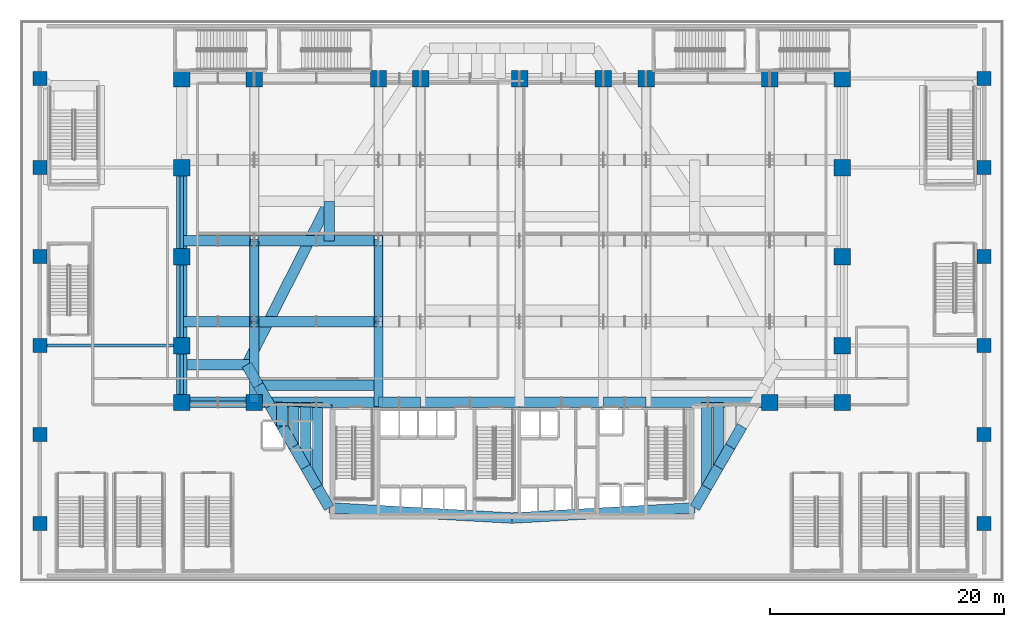
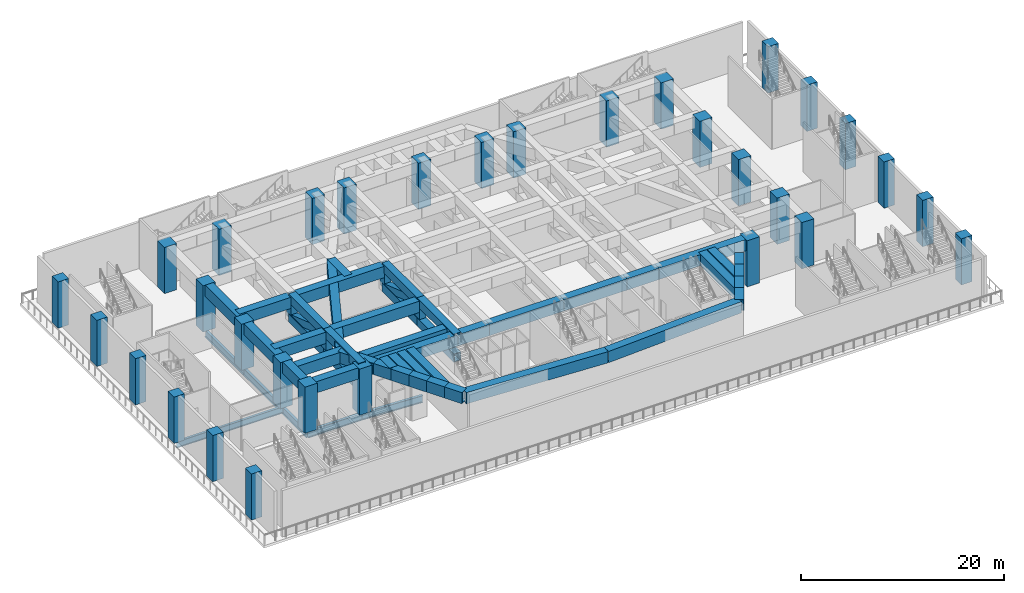
# One storey, part 1 of 27: 43 beams, 31 columns, 14 members.
"""IFC4 building model written with IfcOpenShell, lengths in metres."""

from ifc_helpers import new_model, si_unit, direction, frame, origin, origin_2d, place, context, subcontext, project, spatial, rectangle, hollow_rectangle, i_section, extrude, material, material_profile, profile_set, type_object, element, save


model = new_model("IFC4")

# Units and contexts
model_context = context("Model", 3, precision=1e-05, world=origin(), true_north=direction((0.0, 1.0)))
body_context = subcontext(model_context, "Body", "Model", "MODEL_VIEW")
ifc_project = project(units=[si_unit("LENGTHUNIT", "METRE"), si_unit("AREAUNIT", "SQUARE_METRE"), si_unit("VOLUMEUNIT", "CUBIC_METRE"), si_unit("PLANEANGLEUNIT", "RADIAN"), si_unit("MASSUNIT", "GRAM", prefix="KILO")], contexts=[model_context])

# Site, building, storey
site_placement = place(None, origin())
site = spatial("IfcSite", under=ifc_project, at=site_placement, CompositionType="ELEMENT")
building_placement = place(site_placement, origin())
building = spatial("IfcBuilding", under=site, at=building_placement, Name="Ndaravel Arena Tower", CompositionType="ELEMENT")
storey_placement = place(building_placement, frame((0.0, 0.0, 24.0)))
storey = spatial("IfcBuildingStorey", under=building, at=storey_placement, Name="L04", CompositionType="ELEMENT", Elevation=24.0)

# Columns
ifc_material_1 = material(Name="Concrete C60/75", Category="concrete")
ifc_material_profile_1 = material_profile(ifc_material_1, rectangle(XDim=1.199951171875, YDim=1.199951171875, at=origin_2d()), Name="RC 1200x1200")
ifc_profile_set_1 = profile_set([ifc_material_profile_1], Name="Concrete C60/75")
column_type_1 = type_object("IfcColumnType", Name="COL-MEGA-RC1200", PredefinedType="COLUMN", material=ifc_profile_set_1)
for number, where, z_axis, x_axis, name in (
    (1, (1.699951171875, 5.0, 0.0), (0.0, 0.0, 1.0), (1.0, 0.0, 0.0), "L04 Perimeter Mega Column 01"),
    (2, (1.699951171875, 12.60009765625, 0.0), (0.0, 0.0, 1.0), (1.0, 0.0, 0.0), "L04 Perimeter Mega Column 02"),
    (3, (1.699951171875, 20.199951171875, 0.0), (0.0, 0.0, 1.0), (1.0, 0.0, 0.0), "L04 Perimeter Mega Column 03"),
    (4, (1.699951171875, 27.800048828125, 0.0), (0.0, 0.0, 1.0), (1.0, 0.0, 0.0), "L04 Perimeter Mega Column 04"),
    (5, (1.699951171875, 35.39990234375, 0.0), (0.0, 0.0, 1.0), (1.0, 0.0, 0.0), "L04 Perimeter Mega Column 05"),
    (6, (1.699951171875, 43.0, 0.0), (0.0, 0.0, 1.0), (1.0, 0.0, 0.0), "L04 Perimeter Mega Column 06"),
    (7, (82.300048828125, 5.0, 0.0), (0.0, 0.0, 1.0), (1.0, 0.0, 0.0), "L04 Perimeter Mega Column 07"),
    (8, (82.300048828125, 12.60009765625, 0.0), (0.0, 0.0, 1.0), (1.0, 0.0, 0.0), "L04 Perimeter Mega Column 08"),
    (9, (82.300048828125, 20.199951171875, 0.0), (0.0, 0.0, 1.0), (1.0, 0.0, 0.0), "L04 Perimeter Mega Column 09"),
    (10, (82.300048828125, 27.800048828125, 0.0), (0.0, 0.0, 1.0), (1.0, 0.0, 0.0), "L04 Perimeter Mega Column 10"),
    (11, (82.300048828125, 35.39990234375, 0.0), (0.0, 0.0, 1.0), (1.0, 0.0, 0.0), "L04 Perimeter Mega Column 11"),
    (12, (82.300048828125, 43.0, 0.0), (0.0, 0.0, 1.0), (1.0, 0.0, 0.0), "L04 Perimeter Mega Column 12"),
):
    element("IfcColumn", number, at=place(storey_placement, frame(where, z_axis=z_axis, x_axis=x_axis)), inside=storey, type_object=column_type_1, Name=name, PredefinedType="COLUMN", context=body_context, shape_type="SweptSolid", body=[
        extrude(rectangle(XDim=1.199951171875, YDim=1.199951171875, at=origin_2d()), origin(), (0.0, 0.0, 1.0), 5.550048828125),
    ])
ifc_material_2 = material(Name="Concrete C60/75", Category="concrete")
ifc_material_profile_2 = material_profile(ifc_material_2, rectangle(XDim=1.39990234375, YDim=1.39990234375, at=origin_2d()), Name="RC 1400x1400")
ifc_profile_set_2 = profile_set([ifc_material_profile_2], Name="Concrete C60/75")
column_type_2 = type_object("IfcColumnType", Name="COL-MEGA-RC1400", PredefinedType="COLUMN", material=ifc_profile_set_2)
for number, where, z_axis, x_axis, name in (
    (13, (13.800048828125, 15.35009765625, 0.0), (0.0, 0.0, 1.0), (1.0, 0.0, 0.0), "L04 Arena Ring Mega Column 01"),
    (14, (13.800048828125, 20.199951171875, 0.0), (0.0, 0.0, 1.0), (1.0, 0.0, 0.0), "L04 Arena Ring Mega Column 02"),
    (15, (13.800048828125, 27.800048828125, 0.0), (0.0, 0.0, 1.0), (1.0, 0.0, 0.0), "L04 Arena Ring Mega Column 03"),
    (16, (13.800048828125, 35.39990234375, 0.0), (0.0, 0.0, 1.0), (1.0, 0.0, 0.0), "L04 Arena Ring Mega Column 04"),
    (17, (13.800048828125, 43.0, 0.0), (0.0, 0.0, 1.0), (1.0, 0.0, 0.0), "L04 Arena Ring Mega Column 05"),
    (18, (70.199951171875, 15.35009765625, 0.0), (0.0, 0.0, 1.0), (1.0, 0.0, 0.0), "L04 Arena Ring Mega Column 06"),
    (19, (70.199951171875, 20.199951171875, 0.0), (0.0, 0.0, 1.0), (1.0, 0.0, 0.0), "L04 Arena Ring Mega Column 07"),
    (20, (70.199951171875, 27.800048828125, 0.0), (0.0, 0.0, 1.0), (1.0, 0.0, 0.0), "L04 Arena Ring Mega Column 08"),
    (21, (70.199951171875, 35.39990234375, 0.0), (0.0, 0.0, 1.0), (1.0, 0.0, 0.0), "L04 Arena Ring Mega Column 09"),
    (22, (70.199951171875, 43.0, 0.0), (0.0, 0.0, 1.0), (1.0, 0.0, 0.0), "L04 Arena Ring Mega Column 10"),
    (23, (20.0, 15.35009765625, 0.0), (0.0, 0.0, 1.0), (1.0, 0.0, 0.0), "L04 Arena Ring Mega Column 11"),
    (24, (64.0, 15.35009765625, 0.0), (0.0, 0.0, 1.0), (1.0, 0.0, 0.0), "L04 Arena Ring Mega Column 12"),
    (25, (20.0, 43.0, 0.0), (0.0, 0.0, 1.0), (1.0, 0.0, 0.0), "L04 Arena Ring Mega Column 13"),
    (26, (30.60009765625, 43.0, 0.0), (0.0, 0.0, 1.0), (1.0, 0.0, 0.0), "L04 Arena Ring Mega Column 14"),
    (27, (34.199951171875, 43.0, 0.0), (0.0, 0.0, 1.0), (1.0, 0.0, 0.0), "L04 Arena Ring Mega Column 15"),
    (28, (42.64990234375, 43.0, 0.0), (0.0, 0.0, 1.0), (1.0, 0.0, 0.0), "L04 Arena Ring Mega Column 16"),
    (29, (49.800048828125, 43.0, 0.0), (0.0, 0.0, 1.0), (1.0, 0.0, 0.0), "L04 Arena Ring Mega Column 17"),
    (30, (53.449951171875, 43.0, 0.0), (0.0, 0.0, 1.0), (1.0, 0.0, 0.0), "L04 Arena Ring Mega Column 18"),
    (31, (64.0, 43.0, 0.0), (0.0, 0.0, 1.0), (1.0, 0.0, 0.0), "L04 Arena Ring Mega Column 19"),
):
    element("IfcColumn", number, at=place(storey_placement, frame(where, z_axis=z_axis, x_axis=x_axis)), inside=storey, type_object=column_type_2, Name=name, PredefinedType="COLUMN", context=body_context, shape_type="SweptSolid", body=[
        extrude(rectangle(XDim=1.39990234375, YDim=1.39990234375, at=origin_2d()), origin(), (0.0, 0.0, 1.0), 5.550048828125),
    ])

# Beams
ifc_material_3 = material(Name="Steel S355", Category="steel")
ifc_material_profile_3 = material_profile(ifc_material_3, i_section(OverallWidth=0.26806640625, OverallDepth=0.769775390625, WebThickness=0.015625, FlangeThickness=0.025390625, FilletRadius=0.0166015625, at=origin_2d()), Name="UB 762x267x197")
ifc_profile_set_3 = profile_set([ifc_material_profile_3], Name="Steel S355")
beam_type_1 = type_object("IfcBeamType", Name="BM-POD-UB762", PredefinedType="BEAM", material=ifc_profile_set_3)
beam_1_placement = place(storey_placement, frame((1.699951171875, 20.199951171875, -0.684814453125), z_axis=(1.0, 0.0, 0.0), x_axis=(0.0, 1.0, 0.0)))
element("IfcBeam", 32, at=beam_1_placement, inside=storey, type_object=beam_type_1, Name="L04 West Concourse Beam 01", PredefinedType="BEAM", context=body_context, shape_type="SweptSolid", body=[
    extrude(i_section(OverallWidth=0.26806640625, OverallDepth=0.769775390625, WebThickness=0.015625, FlangeThickness=0.025390625, FilletRadius=0.0166015625, at=origin_2d()), origin(), (0.0, 0.0, 1.0), 12.10009765625),
])
ifc_material_4 = material(Name="Steel S355", Category="steel")
ifc_material_profile_4 = material_profile(ifc_material_4, i_section(OverallWidth=0.293701171875, OverallDepth=0.850830078125, WebThickness=0.01611328125, FlangeThickness=0.02685546875, FilletRadius=0.017822265625, at=origin_2d()), Name="UB 838x292x226")
ifc_profile_set_4 = profile_set([ifc_material_profile_4], Name="Steel S355")
beam_type_2 = type_object("IfcBeamType", Name="BM-POD-UB838", PredefinedType="BEAM", material=ifc_profile_set_4)
beam_2_placement = place(storey_placement, frame((13.800048828125, 15.35009765625, -0.7255859375), z_axis=(0.0, 1.0, 0.0), x_axis=(-1.0, 0.0, 0.0)))
element("IfcBeam", 33, at=beam_2_placement, inside=storey, type_object=beam_type_2, Name="L04 Arena Ring Girder 01", PredefinedType="BEAM", context=body_context, shape_type="SweptSolid", body=[
    extrude(i_section(OverallWidth=0.293701171875, OverallDepth=0.850830078125, WebThickness=0.01611328125, FlangeThickness=0.02685546875, FilletRadius=0.017822265625, at=origin_2d()), origin(), (0.0, 0.0, 1.0), 4.849853515625),
])
beam_3_placement = place(storey_placement, frame((13.800048828125, 20.199951171875, -0.7255859375), z_axis=(0.0, 1.0, 0.0), x_axis=(-1.0, 0.0, 0.0)))
element("IfcBeam", 34, at=beam_3_placement, inside=storey, type_object=beam_type_2, Name="L04 Arena Ring Girder 02", PredefinedType="BEAM", context=body_context, shape_type="SweptSolid", body=[
    extrude(i_section(OverallWidth=0.293701171875, OverallDepth=0.850830078125, WebThickness=0.01611328125, FlangeThickness=0.02685546875, FilletRadius=0.017822265625, at=origin_2d()), origin(), (0.0, 0.0, 1.0), 7.60009765625),
])
beam_4_placement = place(storey_placement, frame((13.800048828125, 27.800048828125, -0.7255859375), z_axis=(0.0, 1.0, 0.0), x_axis=(-1.0, 0.0, 0.0)))
element("IfcBeam", 35, at=beam_4_placement, inside=storey, type_object=beam_type_2, Name="L04 Arena Ring Girder 03", PredefinedType="BEAM", context=body_context, shape_type="SweptSolid", body=[
    extrude(i_section(OverallWidth=0.293701171875, OverallDepth=0.850830078125, WebThickness=0.01611328125, FlangeThickness=0.02685546875, FilletRadius=0.017822265625, at=origin_2d()), origin(), (0.0, 0.0, 1.0), 7.599853515625),
])
beam_5_placement = place(storey_placement, frame((13.800048828125, 15.35009765625, -0.7255859375), z_axis=(1.0, 0.0, 0.0), x_axis=(0.0, 1.0, 0.0)))
element("IfcBeam", 36, at=beam_5_placement, inside=storey, type_object=beam_type_2, Name="L04 Arena Ring Girder 17", PredefinedType="BEAM", context=body_context, shape_type="SweptSolid", body=[
    extrude(i_section(OverallWidth=0.293701171875, OverallDepth=0.850830078125, WebThickness=0.01611328125, FlangeThickness=0.02685546875, FilletRadius=0.017822265625, at=origin_2d()), origin(), (0.0, 0.0, 1.0), 6.199951171875),
])
beam_6_placement = place(storey_placement, frame((20.0, 15.35009765625, -0.7255859375), z_axis=(0.99861701899, -0.052574227375, 0.0), x_axis=(0.052574227375, 0.99861701899, 0.0)))
element("IfcBeam", 37, at=beam_6_placement, inside=storey, type_object=beam_type_2, Name="L04 Arena Ring Girder 18", PredefinedType="BEAM", context=body_context, shape_type="SweptSolid", body=[
    extrude(i_section(OverallWidth=0.293701171875, OverallDepth=0.850830078125, WebThickness=0.01611328125, FlangeThickness=0.02685546875, FilletRadius=0.017822265625, at=origin_2d()), origin(), (0.0, 0.0, 1.0), 6.6591796875),
])
ifc_material_5 = material(Name="Steel S460", Category="steel")
ifc_material_profile_5 = material_profile(ifc_material_5, hollow_rectangle(XDim=0.89990234375, YDim=1.35009765625, WallThickness=0.070068359375, at=origin_2d()), Name="BOX 1350x900x70")
ifc_profile_set_5 = profile_set([ifc_material_profile_5], Name="Steel S460")
beam_type_3 = type_object("IfcBeamType", Name="BM-XFER-BOX1350", PredefinedType="BEAM", material=ifc_profile_set_5)
beam_7_placement = place(storey_placement, frame((13.800048828125, 15.35009765625, 4.875), z_axis=(0.0, 1.0, 0.0), x_axis=(-1.0, 0.0, 0.0)))
element("IfcBeam", 38, at=beam_7_placement, inside=storey, type_object=beam_type_3, Name="Transfer Perimeter Box Girder TPB-1.1", PredefinedType="BEAM", context=body_context, shape_type="SweptSolid", body=[
    extrude(hollow_rectangle(XDim=0.89990234375, YDim=1.35009765625, WallThickness=0.070068359375, at=origin_2d()), origin(), (0.0, 0.0, 1.0), 4.849853515625),
])
beam_8_placement = place(storey_placement, frame((13.800048828125, 20.199951171875, 4.875), z_axis=(0.0, 1.0, 0.0), x_axis=(-1.0, 0.0, 0.0)))
element("IfcBeam", 39, at=beam_8_placement, inside=storey, type_object=beam_type_3, Name="Transfer Perimeter Box Girder TPB-1.2", PredefinedType="BEAM", context=body_context, shape_type="SweptSolid", body=[
    extrude(hollow_rectangle(XDim=0.89990234375, YDim=1.35009765625, WallThickness=0.070068359375, at=origin_2d()), origin(), (0.0, 0.0, 1.0), 7.60009765625),
])
beam_9_placement = place(storey_placement, frame((13.800048828125, 27.800048828125, 4.875), z_axis=(0.0, 1.0, 0.0), x_axis=(-1.0, 0.0, 0.0)))
element("IfcBeam", 40, at=beam_9_placement, inside=storey, type_object=beam_type_3, Name="Transfer Perimeter Box Girder TPB-1.3", PredefinedType="BEAM", context=body_context, shape_type="SweptSolid", body=[
    extrude(hollow_rectangle(XDim=0.89990234375, YDim=1.35009765625, WallThickness=0.070068359375, at=origin_2d()), origin(), (0.0, 0.0, 1.0), 7.599853515625),
])
beam_10_placement = place(storey_placement, frame((13.800048828125, 15.35009765625, 4.875), z_axis=(1.0, 0.0, 0.0), x_axis=(0.0, 1.0, 0.0)))
element("IfcBeam", 41, at=beam_10_placement, inside=storey, type_object=beam_type_3, Name="Transfer Deck Box Girder TG-1.1", PredefinedType="BEAM", context=body_context, shape_type="SweptSolid", body=[
    extrude(hollow_rectangle(XDim=0.89990234375, YDim=1.35009765625, WallThickness=0.070068359375, at=origin_2d()), origin(), (0.0, 0.0, 1.0), 6.199951171875),
])
beam_11_placement = place(storey_placement, frame((20.0, 15.35009765625, 4.875), z_axis=(1.0, 0.0, 0.0), x_axis=(0.0, 1.0, 0.0)))
element("IfcBeam", 42, at=beam_11_placement, inside=storey, type_object=beam_type_3, Name="Transfer Deck Box Girder TG-1.2", PredefinedType="BEAM", context=body_context, shape_type="SweptSolid", body=[
    extrude(hollow_rectangle(XDim=0.89990234375, YDim=1.35009765625, WallThickness=0.070068359375, at=origin_2d()), origin(), (0.0, 0.0, 1.0), 10.60009765625),
])
beam_12_placement = place(storey_placement, frame((30.60009765625, 15.35009765625, 4.875), z_axis=(1.0, 0.0, 0.0), x_axis=(0.0, 1.0, 0.0)))
element("IfcBeam", 43, at=beam_12_placement, inside=storey, type_object=beam_type_3, Name="Transfer Deck Box Girder TG-1.3", PredefinedType="BEAM", context=body_context, shape_type="SweptSolid", body=[
    extrude(hollow_rectangle(XDim=0.89990234375, YDim=1.35009765625, WallThickness=0.070068359375, at=origin_2d()), origin(), (0.0, 0.0, 1.0), 3.599853515625),
])
beam_13_placement = place(storey_placement, frame((34.199951171875, 15.35009765625, 4.875), z_axis=(1.0, 0.0, 0.0), x_axis=(0.0, 1.0, 0.0)))
element("IfcBeam", 44, at=beam_13_placement, inside=storey, type_object=beam_type_3, Name="Transfer Deck Box Girder TG-1.4", PredefinedType="BEAM", context=body_context, shape_type="SweptSolid", body=[
    extrude(hollow_rectangle(XDim=0.89990234375, YDim=1.35009765625, WallThickness=0.070068359375, at=origin_2d()), origin(), (0.0, 0.0, 1.0), 8.449951171875),
])
beam_14_placement = place(storey_placement, frame((42.64990234375, 15.35009765625, 4.875), z_axis=(1.0, 0.0, 0.0), x_axis=(0.0, 1.0, 0.0)))
element("IfcBeam", 45, at=beam_14_placement, inside=storey, type_object=beam_type_3, Name="Transfer Deck Box Girder TG-1.5", PredefinedType="BEAM", context=body_context, shape_type="SweptSolid", body=[
    extrude(hollow_rectangle(XDim=0.89990234375, YDim=1.35009765625, WallThickness=0.070068359375, at=origin_2d()), origin(), (0.0, 0.0, 1.0), 7.150146484375),
])
beam_15_placement = place(storey_placement, frame((49.800048828125, 15.35009765625, 4.875), z_axis=(1.0, 0.0, 0.0), x_axis=(0.0, 1.0, 0.0)))
element("IfcBeam", 46, at=beam_15_placement, inside=storey, type_object=beam_type_3, Name="Transfer Deck Box Girder TG-1.6", PredefinedType="BEAM", context=body_context, shape_type="SweptSolid", body=[
    extrude(hollow_rectangle(XDim=0.89990234375, YDim=1.35009765625, WallThickness=0.070068359375, at=origin_2d()), origin(), (0.0, 0.0, 1.0), 3.64990234375),
])
beam_16_placement = place(storey_placement, frame((53.449951171875, 15.35009765625, 4.875), z_axis=(1.0, 0.0, 0.0), x_axis=(0.0, 1.0, 0.0)))
element("IfcBeam", 47, at=beam_16_placement, inside=storey, type_object=beam_type_3, Name="Transfer Deck Box Girder TG-1.7", PredefinedType="BEAM", context=body_context, shape_type="SweptSolid", body=[
    extrude(hollow_rectangle(XDim=0.89990234375, YDim=1.35009765625, WallThickness=0.070068359375, at=origin_2d()), origin(), (0.0, 0.0, 1.0), 10.550048828125),
])
beam_17_placement = place(storey_placement, frame((13.800048828125, 22.25, 4.875), z_axis=(1.0, 0.0, 0.0), x_axis=(0.0, 1.0, 0.0)))
element("IfcBeam", 48, at=beam_17_placement, inside=storey, type_object=beam_type_3, Name="Transfer Deck Box Girder TG-2.1", PredefinedType="BEAM", context=body_context, shape_type="SweptSolid", body=[
    extrude(hollow_rectangle(XDim=0.89990234375, YDim=1.35009765625, WallThickness=0.070068359375, at=origin_2d()), origin(), (0.0, 0.0, 1.0), 6.199951171875),
])
beam_18_placement = place(storey_placement, frame((20.0, 22.25, 4.875), z_axis=(1.0, 0.0, 0.0), x_axis=(0.0, 1.0, 0.0)))
element("IfcBeam", 49, at=beam_18_placement, inside=storey, type_object=beam_type_3, Name="Transfer Deck Box Girder TG-2.2", PredefinedType="BEAM", context=body_context, shape_type="SweptSolid", body=[
    extrude(hollow_rectangle(XDim=0.89990234375, YDim=1.35009765625, WallThickness=0.070068359375, at=origin_2d()), origin(), (0.0, 0.0, 1.0), 10.60009765625),
])
beam_19_placement = place(storey_placement, frame((13.800048828125, 29.14990234375, 4.875), z_axis=(1.0, 0.0, 0.0), x_axis=(0.0, 1.0, 0.0)))
element("IfcBeam", 50, at=beam_19_placement, inside=storey, type_object=beam_type_3, Name="Transfer Deck Box Girder TG-3.1", PredefinedType="BEAM", context=body_context, shape_type="SweptSolid", body=[
    extrude(hollow_rectangle(XDim=0.89990234375, YDim=1.35009765625, WallThickness=0.070068359375, at=origin_2d()), origin(), (0.0, 0.0, 1.0), 6.199951171875),
])
beam_20_placement = place(storey_placement, frame((20.0, 29.14990234375, 4.875), z_axis=(1.0, 0.0, 0.0), x_axis=(0.0, 1.0, 0.0)))
element("IfcBeam", 51, at=beam_20_placement, inside=storey, type_object=beam_type_3, Name="Transfer Deck Box Girder TG-3.2", PredefinedType="BEAM", context=body_context, shape_type="SweptSolid", body=[
    extrude(hollow_rectangle(XDim=0.89990234375, YDim=1.35009765625, WallThickness=0.070068359375, at=origin_2d()), origin(), (0.0, 0.0, 1.0), 10.60009765625),
])
beam_21_placement = place(storey_placement, frame((42.0, 5.47998046875, 4.875), z_axis=(0.998443390482, 0.055774510331, 0.0), x_axis=(-0.055774510331, 0.998443390482, 0.0)))
element("IfcBeam", 52, at=beam_21_placement, inside=storey, type_object=beam_type_3, Name="Tower Base Transfer Ring Girder TRG-01", PredefinedType="BEAM", context=body_context, shape_type="SweptSolid", body=[
    extrude(hollow_rectangle(XDim=0.89990234375, YDim=1.35009765625, WallThickness=0.070068359375, at=origin_2d()), origin(), (0.0, 0.0, 1.0), 15.63134765625),
])
beam_22_placement = place(storey_placement, frame((57.60693359375, 6.351806640625, 4.875), z_axis=(0.499907881037, 0.86607858216, 0.0), x_axis=(-0.86607858216, 0.499907881037, 0.0)))
element("IfcBeam", 53, at=beam_22_placement, inside=storey, type_object=beam_type_3, Name="Tower Base Transfer Ring Girder TRG-02", PredefinedType="BEAM", context=body_context, shape_type="SweptSolid", body=[
    extrude(hollow_rectangle(XDim=0.89990234375, YDim=1.35009765625, WallThickness=0.070068359375, at=origin_2d()), origin(), (0.0, 0.0, 1.0), 2.013671875),
])
beam_23_placement = place(storey_placement, frame((58.613525390625, 8.095703125, 4.875), z_axis=(0.500051323872, 0.865995769906, 0.0), x_axis=(-0.865995769906, 0.500051323872, 0.0)))
element("IfcBeam", 54, at=beam_23_placement, inside=storey, type_object=beam_type_3, Name="Tower Base Transfer Ring Girder TRG-03", PredefinedType="BEAM", context=body_context, shape_type="SweptSolid", body=[
    extrude(hollow_rectangle(XDim=0.89990234375, YDim=1.35009765625, WallThickness=0.070068359375, at=origin_2d()), origin(), (0.0, 0.0, 1.0), 2.013427734375),
])
beam_24_placement = place(storey_placement, frame((58.613525390625, 8.095703125, 4.875), z_axis=(0.0, 1.0, 0.0), x_axis=(-1.0, 0.0, 0.0)))
element("IfcBeam", 55, at=beam_24_placement, inside=storey, type_object=beam_type_3, Name="Tower Base North Tie Girder TTN-03", PredefinedType="BEAM", context=body_context, shape_type="SweptSolid", body=[
    extrude(hollow_rectangle(XDim=0.89990234375, YDim=1.35009765625, WallThickness=0.070068359375, at=origin_2d()), origin(), (0.0, 0.0, 1.0), 7.25439453125),
])
beam_25_placement = place(storey_placement, frame((59.620361328125, 9.83935546875, 4.875), z_axis=(0.500051323872, 0.865995769906, 0.0), x_axis=(-0.865995769906, 0.500051323872, 0.0)))
element("IfcBeam", 56, at=beam_25_placement, inside=storey, type_object=beam_type_3, Name="Tower Base Transfer Ring Girder TRG-04", PredefinedType="BEAM", context=body_context, shape_type="SweptSolid", body=[
    extrude(hollow_rectangle(XDim=0.89990234375, YDim=1.35009765625, WallThickness=0.070068359375, at=origin_2d()), origin(), (0.0, 0.0, 1.0), 2.013427734375),
])
beam_26_placement = place(storey_placement, frame((59.620361328125, 9.83935546875, 4.875), z_axis=(0.0, 1.0, 0.0), x_axis=(-1.0, 0.0, 0.0)))
element("IfcBeam", 57, at=beam_26_placement, inside=storey, type_object=beam_type_3, Name="Tower Base North Tie Girder TTN-04", PredefinedType="BEAM", context=body_context, shape_type="SweptSolid", body=[
    extrude(hollow_rectangle(XDim=0.89990234375, YDim=1.35009765625, WallThickness=0.070068359375, at=origin_2d()), origin(), (0.0, 0.0, 1.0), 5.5107421875),
])
beam_27_placement = place(storey_placement, frame((60.627197265625, 11.5830078125, 4.875), z_axis=(0.499907881037, 0.86607858216, 0.0), x_axis=(-0.86607858216, 0.499907881037, 0.0)))
element("IfcBeam", 58, at=beam_27_placement, inside=storey, type_object=beam_type_3, Name="Tower Base Transfer Ring Girder TRG-05", PredefinedType="BEAM", context=body_context, shape_type="SweptSolid", body=[
    extrude(hollow_rectangle(XDim=0.89990234375, YDim=1.35009765625, WallThickness=0.070068359375, at=origin_2d()), origin(), (0.0, 0.0, 1.0), 2.013671875),
])
beam_28_placement = place(storey_placement, frame((26.394287109375, 32.510009765625, 4.875), z_axis=(-0.450914536682, -0.892567129469, 0.0), x_axis=(0.892567129469, -0.450914536682, 0.0)))
element("IfcBeam", 59, at=beam_28_placement, inside=storey, type_object=beam_type_3, Name="Tower Base Transfer Ring Girder TRG-19", PredefinedType="BEAM", context=body_context, shape_type="SweptSolid", body=[
    extrude(hollow_rectangle(XDim=0.89990234375, YDim=1.35009765625, WallThickness=0.070068359375, at=origin_2d()), origin(), (0.0, 0.0, 1.0), 15.631103515625),
])
beam_29_placement = place(storey_placement, frame((26.394287109375, 29.14990234375, 4.875), z_axis=(0.0, 1.0, 0.0), x_axis=(-1.0, 0.0, 0.0)))
element("IfcBeam", 60, at=beam_29_placement, inside=storey, type_object=beam_type_3, Name="Tower Base South Tie Girder TTS-19", PredefinedType="BEAM", context=body_context, shape_type="SweptSolid", body=[
    extrude(hollow_rectangle(XDim=0.89990234375, YDim=1.35009765625, WallThickness=0.070068359375, at=origin_2d()), origin(), (0.0, 0.0, 1.0), 3.360107421875),
])
beam_30_placement = place(storey_placement, frame((19.345947265625, 18.55810546875, 4.875), z_axis=(0.499960381356, -0.866048276411, 0.0), x_axis=(0.866048276411, 0.499960381356, 0.0)))
element("IfcBeam", 61, at=beam_30_placement, inside=storey, type_object=beam_type_3, Name="Tower Base Transfer Ring Girder TRG-20", PredefinedType="BEAM", context=body_context, shape_type="SweptSolid", body=[
    extrude(hollow_rectangle(XDim=0.89990234375, YDim=1.35009765625, WallThickness=0.070068359375, at=origin_2d()), origin(), (0.0, 0.0, 1.0), 2.013427734375),
])
beam_31_placement = place(storey_placement, frame((13.800048828125, 18.55810546875, 4.875), z_axis=(1.0, 0.0, 0.0), x_axis=(0.0, 1.0, 0.0)))
element("IfcBeam", 62, at=beam_31_placement, inside=storey, type_object=beam_type_3, Name="Tower Base Span Tie Girder TTEW-20", PredefinedType="BEAM", context=body_context, shape_type="SweptSolid", body=[
    extrude(hollow_rectangle(XDim=0.89990234375, YDim=1.35009765625, WallThickness=0.070068359375, at=origin_2d()), origin(), (0.0, 0.0, 1.0), 6.199951171875),
])
beam_32_placement = place(storey_placement, frame((20.3525390625, 16.814453125, 4.875), z_axis=(0.499998820369, -0.866026084844, 0.0), x_axis=(0.866026084844, 0.499998820369, 0.0)))
element("IfcBeam", 63, at=beam_32_placement, inside=storey, type_object=beam_type_3, Name="Tower Base Transfer Ring Girder TRG-21", PredefinedType="BEAM", context=body_context, shape_type="SweptSolid", body=[
    extrude(hollow_rectangle(XDim=0.89990234375, YDim=1.35009765625, WallThickness=0.070068359375, at=origin_2d()), origin(), (0.0, 0.0, 1.0), 2.013671875),
])
beam_33_placement = place(storey_placement, frame((20.0, 16.814453125, 4.875), z_axis=(1.0, 0.0, 0.0), x_axis=(0.0, 1.0, 0.0)))
element("IfcBeam", 64, at=beam_33_placement, inside=storey, type_object=beam_type_3, Name="Tower Base Span Tie Girder TTEW-21", PredefinedType="BEAM", context=body_context, shape_type="SweptSolid", body=[
    extrude(hollow_rectangle(XDim=0.89990234375, YDim=1.35009765625, WallThickness=0.070068359375, at=origin_2d()), origin(), (0.0, 0.0, 1.0), 10.60009765625),
])
beam_34_placement = place(storey_placement, frame((21.359375, 15.070556640625, 4.875), z_axis=(0.500051323872, -0.865995769906, 0.0), x_axis=(0.865995769906, 0.500051323872, 0.0)))
element("IfcBeam", 65, at=beam_34_placement, inside=storey, type_object=beam_type_3, Name="Tower Base Transfer Ring Girder TRG-22", PredefinedType="BEAM", context=body_context, shape_type="SweptSolid", body=[
    extrude(hollow_rectangle(XDim=0.89990234375, YDim=1.35009765625, WallThickness=0.070068359375, at=origin_2d()), origin(), (0.0, 0.0, 1.0), 2.013427734375),
])
beam_35_placement = place(storey_placement, frame((22.3662109375, 13.326904296875, 4.875), z_axis=(0.499907881037, -0.86607858216, 0.0), x_axis=(0.86607858216, 0.499907881037, 0.0)))
element("IfcBeam", 66, at=beam_35_placement, inside=storey, type_object=beam_type_3, Name="Tower Base Transfer Ring Girder TRG-23", PredefinedType="BEAM", context=body_context, shape_type="SweptSolid", body=[
    extrude(hollow_rectangle(XDim=0.89990234375, YDim=1.35009765625, WallThickness=0.070068359375, at=origin_2d()), origin(), (0.0, 0.0, 1.0), 2.013671875),
])
beam_36_placement = place(storey_placement, frame((22.3662109375, 13.326904296875, 4.875), z_axis=(0.0, 1.0, 0.0), x_axis=(-1.0, 0.0, 0.0)))
element("IfcBeam", 67, at=beam_36_placement, inside=storey, type_object=beam_type_3, Name="Tower Base North Tie Girder TTN-23", PredefinedType="BEAM", context=body_context, shape_type="SweptSolid", body=[
    extrude(hollow_rectangle(XDim=0.89990234375, YDim=1.35009765625, WallThickness=0.070068359375, at=origin_2d()), origin(), (0.0, 0.0, 1.0), 2.023193359375),
])
beam_37_placement = place(storey_placement, frame((23.372802734375, 11.5830078125, 4.875), z_axis=(0.500051323872, -0.865995769906, 0.0), x_axis=(0.865995769906, 0.500051323872, 0.0)))
element("IfcBeam", 68, at=beam_37_placement, inside=storey, type_object=beam_type_3, Name="Tower Base Transfer Ring Girder TRG-24", PredefinedType="BEAM", context=body_context, shape_type="SweptSolid", body=[
    extrude(hollow_rectangle(XDim=0.89990234375, YDim=1.35009765625, WallThickness=0.070068359375, at=origin_2d()), origin(), (0.0, 0.0, 1.0), 2.013427734375),
])
beam_38_placement = place(storey_placement, frame((23.372802734375, 11.5830078125, 4.875), z_axis=(0.0, 1.0, 0.0), x_axis=(-1.0, 0.0, 0.0)))
element("IfcBeam", 69, at=beam_38_placement, inside=storey, type_object=beam_type_3, Name="Tower Base North Tie Girder TTN-24", PredefinedType="BEAM", context=body_context, shape_type="SweptSolid", body=[
    extrude(hollow_rectangle(XDim=0.89990234375, YDim=1.35009765625, WallThickness=0.070068359375, at=origin_2d()), origin(), (0.0, 0.0, 1.0), 3.76708984375),
])
beam_39_placement = place(storey_placement, frame((24.379638671875, 9.83935546875, 4.875), z_axis=(0.500051323872, -0.865995769906, 0.0), x_axis=(0.865995769906, 0.500051323872, 0.0)))
element("IfcBeam", 70, at=beam_39_placement, inside=storey, type_object=beam_type_3, Name="Tower Base Transfer Ring Girder TRG-25", PredefinedType="BEAM", context=body_context, shape_type="SweptSolid", body=[
    extrude(hollow_rectangle(XDim=0.89990234375, YDim=1.35009765625, WallThickness=0.070068359375, at=origin_2d()), origin(), (0.0, 0.0, 1.0), 2.013427734375),
])
beam_40_placement = place(storey_placement, frame((24.379638671875, 9.83935546875, 4.875), z_axis=(0.0, 1.0, 0.0), x_axis=(-1.0, 0.0, 0.0)))
element("IfcBeam", 71, at=beam_40_placement, inside=storey, type_object=beam_type_3, Name="Tower Base North Tie Girder TTN-25", PredefinedType="BEAM", context=body_context, shape_type="SweptSolid", body=[
    extrude(hollow_rectangle(XDim=0.89990234375, YDim=1.35009765625, WallThickness=0.070068359375, at=origin_2d()), origin(), (0.0, 0.0, 1.0), 5.5107421875),
])
beam_41_placement = place(storey_placement, frame((25.386474609375, 8.095703125, 4.875), z_axis=(0.499907881037, -0.86607858216, 0.0), x_axis=(0.86607858216, 0.499907881037, 0.0)))
element("IfcBeam", 72, at=beam_41_placement, inside=storey, type_object=beam_type_3, Name="Tower Base Transfer Ring Girder TRG-26", PredefinedType="BEAM", context=body_context, shape_type="SweptSolid", body=[
    extrude(hollow_rectangle(XDim=0.89990234375, YDim=1.35009765625, WallThickness=0.070068359375, at=origin_2d()), origin(), (0.0, 0.0, 1.0), 2.013671875),
])
beam_42_placement = place(storey_placement, frame((25.386474609375, 8.095703125, 4.875), z_axis=(0.0, 1.0, 0.0), x_axis=(-1.0, 0.0, 0.0)))
element("IfcBeam", 73, at=beam_42_placement, inside=storey, type_object=beam_type_3, Name="Tower Base North Tie Girder TTN-26", PredefinedType="BEAM", context=body_context, shape_type="SweptSolid", body=[
    extrude(hollow_rectangle(XDim=0.89990234375, YDim=1.35009765625, WallThickness=0.070068359375, at=origin_2d()), origin(), (0.0, 0.0, 1.0), 7.25439453125),
])
beam_43_placement = place(storey_placement, frame((26.39306640625, 6.351806640625, 4.875), z_axis=(0.998443390482, -0.055774510331, 0.0), x_axis=(0.055774510331, 0.998443390482, 0.0)))
element("IfcBeam", 74, at=beam_43_placement, inside=storey, type_object=beam_type_3, Name="Tower Base Transfer Ring Girder TRG-27", PredefinedType="BEAM", context=body_context, shape_type="SweptSolid", body=[
    extrude(hollow_rectangle(XDim=0.89990234375, YDim=1.35009765625, WallThickness=0.070068359375, at=origin_2d()), origin(), (0.0, 0.0, 1.0), 15.63134765625),
])

# Members
ifc_material_6 = material(Name="Steel S460", Category="steel")
ifc_material_profile_6 = material_profile(ifc_material_6, hollow_rectangle(XDim=0.800048828125, YDim=1.0, WallThickness=0.06005859375, at=origin_2d()), Name="BOX 1000x800x60")
ifc_profile_set_6 = profile_set([ifc_material_profile_6], Name="Steel S460")
member_type_1 = type_object("IfcMemberType", Name="MEM-TT-CHORD", PredefinedType="CHORD", material=ifc_profile_set_6)
for number, where, z_axis, x_axis, name in (
    (75, (20.0, 15.35009765625, 5.199951171875), (0.0, 1.0, 0.0), (-1.0, 0.0, 0.0), "Transfer Truss TT-1 Top Chord 1"),
    (76, (20.0, 15.35009765625, 2.820068359375), (0.0, 1.0, 0.0), (-1.0, 0.0, 0.0), "Transfer Truss TT-1 Bottom Chord 1"),
    (77, (20.0, 22.25, 5.199951171875), (0.0, 1.0, 0.0), (-1.0, 0.0, 0.0), "Transfer Truss TT-1 Top Chord 2"),
    (78, (20.0, 22.25, 2.820068359375), (0.0, 1.0, 0.0), (-1.0, 0.0, 0.0), "Transfer Truss TT-1 Bottom Chord 2"),
):
    element("IfcMember", number, at=place(storey_placement, frame(where, z_axis=z_axis, x_axis=x_axis)), inside=storey, type_object=member_type_1, Name=name, PredefinedType="CHORD", context=body_context, shape_type="SweptSolid", body=[
        extrude(hollow_rectangle(XDim=0.800048828125, YDim=1.0, WallThickness=0.06005859375, at=origin_2d()), origin(), (0.0, 0.0, 1.0), 6.89990234375),
    ])
for number, where, z_axis, x_axis, name in (
    (79, (30.60009765625, 15.0, 5.199951171875), (0.0, 1.0, 0.0), (-1.0, 0.0, 0.0), "Transfer Truss TT-2 Top Chord 1"),
    (80, (30.60009765625, 15.0, 2.820068359375), (0.0, 1.0, 0.0), (-1.0, 0.0, 0.0), "Transfer Truss TT-2 Bottom Chord 1"),
):
    element("IfcMember", number, at=place(storey_placement, frame(where, z_axis=z_axis, x_axis=x_axis)), inside=storey, type_object=member_type_1, Name=name, PredefinedType="CHORD", context=body_context, shape_type="SweptSolid", body=[
        extrude(hollow_rectangle(XDim=0.800048828125, YDim=1.0, WallThickness=0.06005859375, at=origin_2d()), origin(), (0.0, 0.0, 1.0), 7.25),
    ])
for number, where, z_axis, x_axis, name in (
    (81, (30.60009765625, 22.25, 5.199951171875), (0.0, 1.0, 0.0), (-1.0, 0.0, 0.0), "Transfer Truss TT-2 Top Chord 2"),
    (82, (30.60009765625, 22.25, 2.820068359375), (0.0, 1.0, 0.0), (-1.0, 0.0, 0.0), "Transfer Truss TT-2 Bottom Chord 2"),
):
    element("IfcMember", number, at=place(storey_placement, frame(where, z_axis=z_axis, x_axis=x_axis)), inside=storey, type_object=member_type_1, Name=name, PredefinedType="CHORD", context=body_context, shape_type="SweptSolid", body=[
        extrude(hollow_rectangle(XDim=0.800048828125, YDim=1.0, WallThickness=0.06005859375, at=origin_2d()), origin(), (0.0, 0.0, 1.0), 6.89990234375),
    ])
ifc_material_7 = material(Name="Steel S460", Category="steel")
ifc_material_profile_7 = material_profile(ifc_material_7, hollow_rectangle(XDim=0.699951171875, YDim=0.85009765625, WallThickness=0.050048828125, at=origin_2d()), Name="BOX 850x700x50")
ifc_profile_set_7 = profile_set([ifc_material_profile_7], Name="Steel S460")
member_type_2 = type_object("IfcMemberType", Name="MEM-TT-DIAG", PredefinedType="BRACE", material=ifc_profile_set_7)
for number, where, z_axis, x_axis, name in (
    (83, (20.0, 22.25, 5.199951171875), (0.0, 0.945347385111, -0.32606490376), (-1.0, 0.0, 0.0), "Transfer Truss TT-1 Diagonal 2"),
    (84, (30.60009765625, 22.25, 5.199951171875), (0.0, 0.945347385111, -0.32606490376), (-1.0, 0.0, 0.0), "Transfer Truss TT-2 Diagonal 2"),
):
    element("IfcMember", number, at=place(storey_placement, frame(where, z_axis=z_axis, x_axis=x_axis)), inside=storey, type_object=member_type_2, Name=name, PredefinedType="BRACE", context=body_context, shape_type="SweptSolid", body=[
        extrude(hollow_rectangle(XDim=0.699951171875, YDim=0.85009765625, WallThickness=0.050048828125, at=origin_2d()), origin(), (0.0, 0.0, 1.0), 7.298828125),
    ])
ifc_material_8 = material(Name="Steel S460", Category="steel")
ifc_material_profile_8 = material_profile(ifc_material_8, hollow_rectangle(XDim=0.75, YDim=0.89990234375, WallThickness=0.054931640625, at=origin_2d()), Name="BOX 900x750x55")
ifc_profile_set_8 = profile_set([ifc_material_profile_8], Name="Steel S460")
member_type_3 = type_object("IfcMemberType", Name="MEM-TT-POST", PredefinedType="POST", material=ifc_profile_set_8)
for number, where, z_axis, x_axis, name in (
    (85, (20.0, 22.25, 2.820068359375), (0.0, 0.0, 1.0), (1.0, 0.0, 0.0), "Transfer Truss TT-1 Post 2"),
    (86, (20.0, 29.14990234375, 2.820068359375), (0.0, 0.0, 1.0), (1.0, 0.0, 0.0), "Transfer Truss TT-1 Post 3"),
    (87, (30.60009765625, 22.25, 2.820068359375), (0.0, 0.0, 1.0), (1.0, 0.0, 0.0), "Transfer Truss TT-2 Post 2"),
    (88, (30.60009765625, 29.14990234375, 2.820068359375), (0.0, 0.0, 1.0), (1.0, 0.0, 0.0), "Transfer Truss TT-2 Post 3"),
):
    element("IfcMember", number, at=place(storey_placement, frame(where, z_axis=z_axis, x_axis=x_axis)), inside=storey, type_object=member_type_3, Name=name, PredefinedType="POST", context=body_context, shape_type="SweptSolid", body=[
        extrude(hollow_rectangle(XDim=0.75, YDim=0.89990234375, WallThickness=0.054931640625, at=origin_2d()), origin(), (0.0, 0.0, 1.0), 2.72998046875),
    ])

save(model, "model.ifc")
